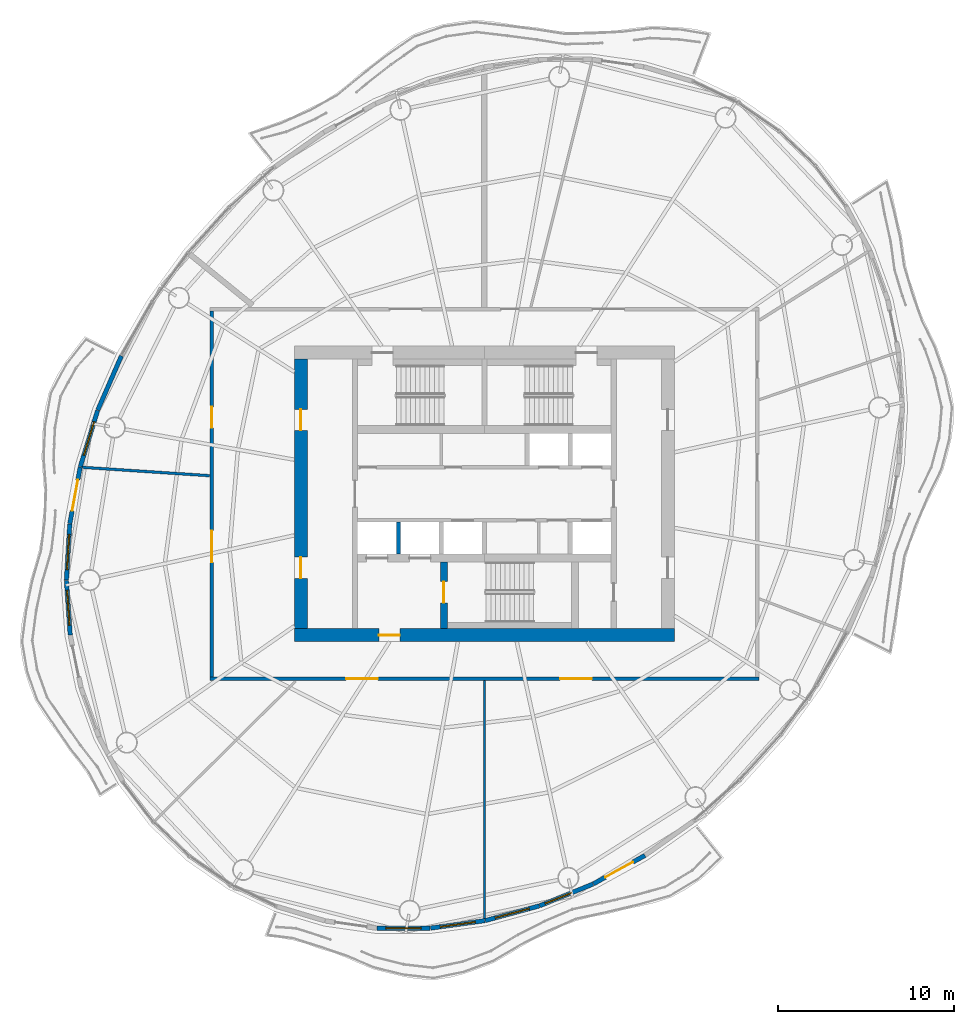
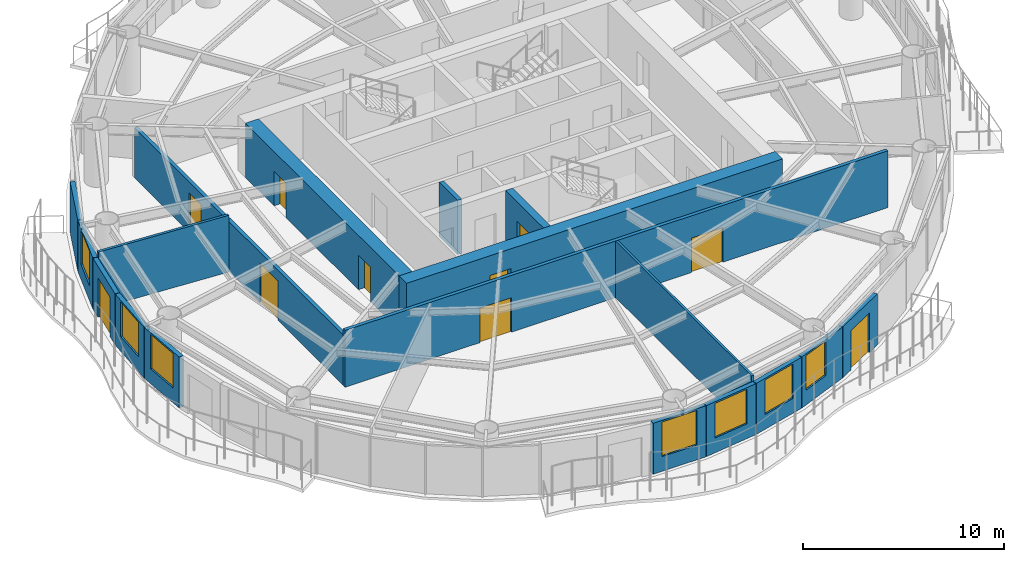
# One storey, part 8 of 14: 18 walls, 10 doors, 7 windows, 17 openings.
"""IFC4 building model written with IfcOpenShell, lengths in metres."""

from ifc_helpers import new_model, si_unit, direction, frame, frame_2d, origin, place, context, subcontext, project, spatial, rectangle, extrude, material, layer, layer_set, type_object, element, fill, save


model = new_model("IFC4")

# Units and contexts
model_context = context("Model", 3, precision=1e-05, world=origin(), true_north=direction((0.0, 1.0)))
body_context = subcontext(model_context, "Body", "Model", "MODEL_VIEW")
ifc_project = project(units=[si_unit("LENGTHUNIT", "METRE"), si_unit("AREAUNIT", "SQUARE_METRE"), si_unit("VOLUMEUNIT", "CUBIC_METRE"), si_unit("PLANEANGLEUNIT", "RADIAN"), si_unit("MASSUNIT", "GRAM", prefix="KILO")], contexts=[model_context])

# Site, building, storey
site_placement = place(None, origin())
site = spatial("IfcSite", under=ifc_project, at=site_placement, CompositionType="ELEMENT")
building_placement = place(site_placement, origin())
building = spatial("IfcBuilding", under=site, at=building_placement, Name="Vermilion Reach Broadcast Tower", CompositionType="ELEMENT")
storey_placement = place(building_placement, frame((0.0, 0.0, 235.300048828125)))
storey = spatial("IfcBuildingStorey", under=building, at=storey_placement, Name="L58", CompositionType="ELEMENT", Elevation=235.300048828125)

# Wall, opening, door
ifc_material_1 = material(Name="Concrete C60", Category="concrete")
ifc_layer_1 = layer(ifc_material_1, 0.39990234375)
ifc_layer_set_1 = layer_set([ifc_layer_1], Name="Core inner wall 400 mm Concrete C60")
wall_type_1 = type_object("IfcWallType", Name="Core inner wall 400 mm Concrete C60", PredefinedType="SHEAR", material=ifc_layer_set_1)
wall_1_placement = place(storey_placement, frame((-8.300048828125, -3.8798828125, 0.0), z_axis=(0.0, 0.0, 1.0), x_axis=(0.0, -1.0, 0.0)))
wall_1 = element("IfcWall", 1, at=wall_1_placement, inside=storey, type_object=wall_type_1, Name="L58 core wall wa", PredefinedType="SHEAR", context=body_context, shape_type="SweptSolid", body=[
    extrude(rectangle(XDim=3.77001953125, YDim=0.39990234375, at=frame_2d((1.885009765625, 0.0))), origin(), (0.0, 0.0, 1.0), 3.300048828125),
])
opening_1_placement = place(wall_1_placement, frame((1.110107421875, 0.0, 0.0)))
opening_1 = element("IfcOpeningElement", 2, at=opening_1_placement, cuts=wall_1, Name="Opening D01", PredefinedType="OPENING", context=body_context, shape_type="SweptSolid", body=[
    extrude(rectangle(XDim=1.199951171875, YDim=2.10009765625, at=frame_2d((0.60009765625, 1.050048828125))), frame((0.0, 0.2099609375, 0.0), z_axis=(0.0, -1.0, 0.0), x_axis=(1.0, 0.0, 0.0)), (0.0, 0.0, 1.0), 0.419921875),
])
ifc_material_2 = material(Name="Painted steel fire door", Category="steel")
door_type_1 = type_object("IfcDoorType", Name="Stair door 1200 x 2100", OperationType="DOUBLE_DOOR_SINGLE_SWING", PredefinedType="NOTDEFINED", material=ifc_material_2)
door_1_placement = place(opening_1_placement, origin())
door_1 = element("IfcDoor", 3, at=door_1_placement, inside=storey, type_object=door_type_1, Name="L58 stair door ST3", OperationType="DOUBLE_DOOR_SINGLE_SWING", OverallHeight=2.10009765625, OverallWidth=1.199951171875, PredefinedType="NOTDEFINED", context=body_context, shape_type="SweptSolid", body=[
    extrude(rectangle(XDim=1.199951171875, YDim=2.10009765625, at=frame_2d((0.60009765625, 1.050048828125))), frame((0.0, 0.02490234375, 0.0), z_axis=(0.0, -1.0, 0.0), x_axis=(1.0, 0.0, 0.0)), (0.0, 0.0, 1.0), 0.050048828125),
])
fill(opening_1, door_1)

ifc_material_3 = material(Name="Concrete C60", Category="concrete")
ifc_layer_2 = layer(ifc_material_3, 0.75)
ifc_layer_set_2 = layer_set([ifc_layer_2], Name="Core outer wall 750 mm Concrete C60")
wall_type_2 = type_object("IfcWallType", Name="Core outer wall 750 mm Concrete C60", PredefinedType="SHEAR", material=ifc_layer_set_2)
wall_2_placement = place(storey_placement, frame((-16.800048828125, -8.02490234375, 0.0), z_axis=(0.0, 0.0, 1.0), x_axis=(1.0, 0.0, 0.0)))
wall_2 = element("IfcWall", 4, at=wall_2_placement, inside=storey, type_object=wall_type_2, Name="L58 core wall os", PredefinedType="SHEAR", context=body_context, shape_type="SweptSolid", body=[
    extrude(rectangle(XDim=21.60009765625, YDim=0.75, at=frame_2d((10.800048828125, 0.0))), origin(), (0.0, 0.0, 1.0), 3.300048828125),
])
opening_2_placement = place(wall_2_placement, frame((4.800048828125, 0.0, 0.0)))
opening_2 = element("IfcOpeningElement", 5, at=opening_2_placement, cuts=wall_2, Name="Opening D02", PredefinedType="OPENING", context=body_context, shape_type="SweptSolid", body=[
    extrude(rectangle(XDim=1.199951171875, YDim=2.10009765625, at=frame_2d((0.60009765625, 1.050048828125))), frame((0.0, 0.385009765625, 0.0), z_axis=(0.0, -1.0, 0.0), x_axis=(1.0, 0.0, 0.0)), (0.0, 0.0, 1.0), 0.77001953125),
])
ifc_material_4 = material(Name="Painted steel fire door", Category="steel")
door_type_2 = type_object("IfcDoorType", Name="Firefighting lobby door 1200 x 2100", OperationType="DOUBLE_DOOR_SINGLE_SWING", PredefinedType="NOTDEFINED", material=ifc_material_4)
door_2_placement = place(opening_2_placement, origin())
door_2 = element("IfcDoor", 6, at=door_2_placement, inside=storey, type_object=door_type_2, Name="L58 ffdoor door FFL", OperationType="DOUBLE_DOOR_SINGLE_SWING", OverallHeight=2.10009765625, OverallWidth=1.199951171875, PredefinedType="NOTDEFINED", context=body_context, shape_type="SweptSolid", body=[
    extrude(rectangle(XDim=1.199951171875, YDim=2.10009765625, at=frame_2d((0.60009765625, 1.050048828125))), frame((0.0, 0.02490234375, 0.0), z_axis=(0.0, -1.0, 0.0), x_axis=(1.0, 0.0, 0.0)), (0.0, 0.0, 1.0), 0.050048828125),
])
fill(opening_2, door_2)

# Wall, openings, doors
wall_3_placement = place(storey_placement, frame((-16.425048828125, 7.64990234375, 0.0), z_axis=(0.0, 0.0, 1.0), x_axis=(0.0, -1.0, 0.0)))
wall_3 = element("IfcWall", 7, at=wall_3_placement, inside=storey, type_object=wall_type_2, Name="L58 core wall ow", PredefinedType="SHEAR", context=body_context, shape_type="SweptSolid", body=[
    extrude(rectangle(XDim=15.2998046875, YDim=0.75, at=frame_2d((7.64990234375, 0.0))), origin(), (0.0, 0.0, 1.0), 3.300048828125),
])
opening_3_placement = place(wall_3_placement, frame((11.25, 0.0, 0.0)))
opening_3 = element("IfcOpeningElement", 8, at=opening_3_placement, cuts=wall_3, Name="Opening D03", PredefinedType="OPENING", context=body_context, shape_type="SweptSolid", body=[
    extrude(rectangle(XDim=1.199951171875, YDim=2.10009765625, at=frame_2d((0.60009765625, 1.050048828125))), frame((0.0, 0.385009765625, 0.0), z_axis=(0.0, -1.0, 0.0), x_axis=(1.0, 0.0, 0.0)), (0.0, 0.0, 1.0), 0.77001953125),
])
opening_4_placement = place(wall_3_placement, frame((2.85009765625, 0.0, 0.0)))
opening_4 = element("IfcOpeningElement", 9, at=opening_4_placement, cuts=wall_3, Name="Opening D03", PredefinedType="OPENING", context=body_context, shape_type="SweptSolid", body=[
    extrude(rectangle(XDim=1.199951171875, YDim=2.10009765625, at=frame_2d((0.60009765625, 1.050048828125))), frame((0.0, 0.385009765625, 0.0), z_axis=(0.0, -1.0, 0.0), x_axis=(1.0, 0.0, 0.0)), (0.0, 0.0, 1.0), 0.77001953125),
])
ifc_material_5 = material(Name="Painted steel fire door", Category="steel")
door_type_3 = type_object("IfcDoorType", Name="Core lobby door 1200 x 2100", OperationType="DOUBLE_DOOR_SINGLE_SWING", PredefinedType="NOTDEFINED", material=ifc_material_5)
door_3_placement = place(opening_3_placement, origin())
door_3 = element("IfcDoor", 10, at=door_3_placement, inside=storey, type_object=door_type_3, Name="L58 slot door W0", OperationType="DOUBLE_DOOR_SINGLE_SWING", OverallHeight=2.10009765625, OverallWidth=1.199951171875, PredefinedType="NOTDEFINED", context=body_context, shape_type="SweptSolid", body=[
    extrude(rectangle(XDim=1.199951171875, YDim=2.10009765625, at=frame_2d((0.60009765625, 1.050048828125))), frame((0.0, 0.02490234375, 0.0), z_axis=(0.0, -1.0, 0.0), x_axis=(1.0, 0.0, 0.0)), (0.0, 0.0, 1.0), 0.050048828125),
])
fill(opening_3, door_3)
door_4_placement = place(opening_4_placement, origin())
door_4 = element("IfcDoor", 11, at=door_4_placement, inside=storey, type_object=door_type_3, Name="L58 slot door W1", OperationType="DOUBLE_DOOR_SINGLE_SWING", OverallHeight=2.10009765625, OverallWidth=1.199951171875, PredefinedType="NOTDEFINED", context=body_context, shape_type="SweptSolid", body=[
    extrude(rectangle(XDim=1.199951171875, YDim=2.10009765625, at=frame_2d((0.60009765625, 1.050048828125))), frame((0.0, 0.02490234375, 0.0), z_axis=(0.0, -1.0, 0.0), x_axis=(1.0, 0.0, 0.0)), (0.0, 0.0, 1.0), 0.050048828125),
])
fill(opening_4, door_4)

# Wall
ifc_material_6 = material(Name="Concrete C50", Category="concrete")
ifc_layer_3 = layer(ifc_material_6, 0.25)
ifc_layer_set_3 = layer_set([ifc_layer_3], Name="Core shaft wall 250 mm Concrete C50")
wall_type_3 = type_object("IfcWallType", Name="Core shaft wall 250 mm Concrete C50", PredefinedType="SHEAR", material=ifc_layer_set_3)
wall_4_placement = place(storey_placement, frame((-10.88330078125, -1.60009765625, 0.0), z_axis=(0.0, 0.0, 1.0), x_axis=(0.0, -1.0, 0.0)))
element("IfcWall", 12, at=wall_4_placement, inside=storey, type_object=wall_type_3, Name="L58 core wall psS0", PredefinedType="SHEAR", context=body_context, shape_type="SweptSolid", body=[
    extrude(rectangle(XDim=1.829833984375, YDim=0.25, at=frame_2d((0.9150390625, 0.0))), origin(), (0.0, 0.0, 1.0), 3.300048828125),
])

# Wall, openings, doors
ifc_material_7 = material(Name="Fire-rated gypsum board partition")
ifc_layer_4 = layer(ifc_material_7, 0.199951171875)
ifc_layer_set_4 = layer_set([ifc_layer_4], Name="Corridor wall 200 fire-rated")
wall_type_4 = type_object("IfcWallType", Name="Corridor wall 200 fire-rated", PredefinedType="PARTITIONING", material=ifc_layer_set_4)
wall_5_placement = place(storey_placement, frame((9.60009765625, -10.5, 0.0), z_axis=(0.0, 0.0, 1.0), x_axis=(-1.0, 0.0, 0.0)))
wall_5 = element("IfcWall", 13, at=wall_5_placement, inside=storey, type_object=wall_type_4, Name="Corridor wall 58.S", PredefinedType="PARTITIONING", context=body_context, shape_type="SweptSolid", body=[
    extrude(rectangle(XDim=31.2001953125, YDim=0.199951171875, at=frame_2d((15.60009765625, 0.0))), origin(), (0.0, 0.0, 1.0), 3.449951171875),
])
opening_5_placement = place(wall_5_placement, frame((21.65380859375, 0.0, 0.0)))
opening_5 = element("IfcOpeningElement", 14, at=opening_5_placement, cuts=wall_5, Name="Opening D21", PredefinedType="OPENING", context=body_context, shape_type="SweptSolid", body=[
    extrude(rectangle(XDim=1.800048828125, YDim=2.10009765625, at=frame_2d((0.89990234375, 1.050048828125))), frame((0.0, 0.10986328125, 0.0), z_axis=(0.0, -1.0, 0.0), x_axis=(1.0, 0.0, 0.0)), (0.0, 0.0, 1.0), 0.219970703125),
])
opening_6_placement = place(wall_5_placement, frame((9.4931640625, 0.0, 0.0)))
opening_6 = element("IfcOpeningElement", 15, at=opening_6_placement, cuts=wall_5, Name="Opening D21", PredefinedType="OPENING", context=body_context, shape_type="SweptSolid", body=[
    extrude(rectangle(XDim=1.800048828125, YDim=2.10009765625, at=frame_2d((0.89990234375, 1.050048828125))), frame((0.0, 0.10986328125, 0.0), z_axis=(0.0, -1.0, 0.0), x_axis=(1.0, 0.0, 0.0)), (0.0, 0.0, 1.0), 0.219970703125),
])
ifc_material_8 = material(Name="Timber door leaf", Category="wood")
door_type_4 = type_object("IfcDoorType", Name="Door pair 1800x2100", OperationType="NOTDEFINED", PredefinedType="DOOR", material=ifc_material_8)
door_5_placement = place(opening_5_placement, origin())
door_5 = element("IfcDoor", 16, at=door_5_placement, inside=storey, type_object=door_type_4, Name="Door 58.05", OperationType="DOUBLE_DOOR_SINGLE_SWING", OverallHeight=2.10009765625, OverallWidth=1.800048828125, PredefinedType="DOOR", context=body_context, shape_type="SweptSolid", body=[
    extrude(rectangle(XDim=1.800048828125, YDim=2.10009765625, at=frame_2d((0.89990234375, 1.050048828125))), frame((0.0, 0.02490234375, 0.0), z_axis=(0.0, -1.0, 0.0), x_axis=(1.0, 0.0, 0.0)), (0.0, 0.0, 1.0), 0.050048828125),
])
fill(opening_5, door_5)
door_6_placement = place(opening_6_placement, origin())
door_6 = element("IfcDoor", 17, at=door_6_placement, inside=storey, type_object=door_type_4, Name="Door 58.06", OperationType="DOUBLE_DOOR_SINGLE_SWING", OverallHeight=2.10009765625, OverallWidth=1.800048828125, PredefinedType="DOOR", context=body_context, shape_type="SweptSolid", body=[
    extrude(rectangle(XDim=1.800048828125, YDim=2.10009765625, at=frame_2d((0.89990234375, 1.050048828125))), frame((0.0, 0.02490234375, 0.0), z_axis=(0.0, -1.0, 0.0), x_axis=(1.0, 0.0, 0.0)), (0.0, 0.0, 1.0), 0.050048828125),
])
fill(opening_6, door_6)

# Walls
ifc_material_9 = material(Name="Fire-rated plasterboard on steel stud", Category="steel")
ifc_layer_5 = layer(ifc_material_9, 0.125)
ifc_layer_set_5 = layer_set([ifc_layer_5], Name="Partition 125 fire-rated stud")
wall_type_5 = type_object("IfcWallType", Name="Partition 125 fire-rated stud", PredefinedType="PARTITIONING", material=ifc_layer_set_5)
wall_6_placement = place(storey_placement, frame((-5.993896484375, -24.12890625, 0.0), z_axis=(0.0, 0.0, 1.0), x_axis=(-0.000252643728, 0.999999968086, 0.0)))
element("IfcWall", 18, at=wall_6_placement, inside=storey, type_object=wall_type_5, Name="Partition 58.06", PredefinedType="PARTITIONING", context=body_context, shape_type="SweptSolid", body=[
    extrude(rectangle(XDim=13.52880859375, YDim=0.125, at=frame_2d((6.764404296875, 0.0))), origin(), (0.0, 0.0, 1.0), 3.449951171875),
])
ifc_material_10 = material(Name="Lightweight concrete block, plastered", Category="concrete")
ifc_layer_6 = layer(ifc_material_10, 0.14990234375)
ifc_layer_set_6 = layer_set([ifc_layer_6], Name="Partition 150 lightweight block")
wall_type_6 = type_object("IfcWallType", Name="Partition 150 lightweight block", PredefinedType="PARTITIONING", material=ifc_layer_set_6)
wall_7_placement = place(storey_placement, frame((-28.840087890625, 1.50537109375, 0.0), z_axis=(0.0, 0.0, 1.0), x_axis=(0.997835523801, -0.065759162409, 0.0)))
element("IfcWall", 19, at=wall_7_placement, inside=storey, type_object=wall_type_6, Name="Partition 58.04", PredefinedType="PARTITIONING", context=body_context, shape_type="SweptSolid", body=[
    extrude(rectangle(XDim=7.250732421875, YDim=0.14990234375, at=frame_2d((3.62548828125, 0.0))), origin(), (0.0, 0.0, 1.0), 3.449951171875),
])
ifc_material_11 = material(Name="Terracotta rainscreen cladding", Category="masonry")
ifc_layer_7 = layer(ifc_material_11, 0.25)
ifc_layer_set_7 = layer_set([ifc_layer_7], Name="Terracotta rainscreen wall 250")
wall_type_7 = type_object("IfcWallType", Name="Terracotta rainscreen wall 250", PredefinedType="SOLIDWALL", material=ifc_layer_set_7)
wall_8_placement = place(storey_placement, frame((-26.62646484375, 7.83203125, 0.0), z_axis=(0.0, 0.0, 1.0), x_axis=(-0.399940006996, -0.916541319747, 0.0)))
element("IfcWall", 20, at=wall_8_placement, inside=storey, type_object=wall_type_7, Name="External wall L58 14", PredefinedType="SOLIDWALL", context=body_context, shape_type="SweptSolid", body=[
    extrude(rectangle(XDim=3.3525390625, YDim=0.25, at=frame_2d((1.67626953125, 0.0))), origin(), (0.0, 0.0, 1.0), 3.099853515625),
])

# Wall, opening, window
wall_9_placement = place(storey_placement, frame((-27.97509765625, 4.73876953125, 0.0), z_axis=(0.0, 0.0, 1.0), x_axis=(-0.294306671234, -0.955711035443, 0.0)))
wall_9 = element("IfcWall", 21, at=wall_9_placement, inside=storey, type_object=wall_type_7, Name="External wall L58 15", PredefinedType="SOLIDWALL", context=body_context, shape_type="SweptSolid", body=[
    extrude(rectangle(XDim=3.340576171875, YDim=0.25, at=frame_2d((1.67041015625, 0.0))), origin(), (0.0, 0.0, 1.0), 3.099853515625),
])
opening_7_placement = place(wall_9_placement, frame((0.67041015625, 0.0, 0.89990234375)))
opening_7 = element("IfcOpeningElement", 22, at=opening_7_placement, cuts=wall_9, Name="Opening W03", PredefinedType="OPENING", context=body_context, shape_type="SweptSolid", body=[
    extrude(rectangle(XDim=2.0, YDim=2.10009765625, at=frame_2d((1.0, 1.050048828125))), frame((0.0, 0.135009765625, 0.0), z_axis=(0.0, -1.0, 0.0), x_axis=(1.0, 0.0, 0.0)), (0.0, 0.0, 1.0), 0.27001953125),
])
ifc_material_12 = material(Name="Low-e laminated clear glass in aluminium frame", Category="aluminium")
window_type_1 = type_object("IfcWindowType", Name="Punched window 2000 x 2100 sill 900", PartitioningType="SINGLE_PANEL", PredefinedType="WINDOW", material=ifc_material_12)
window_1_placement = place(opening_7_placement, origin())
window_1 = element("IfcWindow", 23, at=window_1_placement, inside=storey, type_object=window_type_1, Name="Window L58 15", OverallHeight=2.10009765625, OverallWidth=2.0, PartitioningType="SINGLE_PANEL", PredefinedType="WINDOW", context=body_context, shape_type="SweptSolid", body=[
    extrude(rectangle(XDim=2.0, YDim=2.10009765625, at=frame_2d((1.0, 1.050048828125))), frame((0.0, 0.030029296875, 0.0), z_axis=(0.0, -1.0, 0.0), x_axis=(1.0, 0.0, 0.0)), (0.0, 0.0, 1.0), 0.06005859375),
])
fill(opening_7, window_1)

# Wall, opening, door
wall_10_placement = place(storey_placement, frame((-28.963623046875, 1.524169921875, 0.0), z_axis=(0.0, 0.0, 1.0), x_axis=(-0.180803315383, -0.983519273399, 0.0)))
wall_10 = element("IfcWall", 24, at=wall_10_placement, inside=storey, type_object=wall_type_7, Name="External wall L58 16", PredefinedType="SOLIDWALL", context=body_context, shape_type="SweptSolid", body=[
    extrude(rectangle(XDim=3.2705078125, YDim=0.25, at=frame_2d((1.63525390625, 0.0))), origin(), (0.0, 0.0, 1.0), 3.099853515625),
])
opening_8_placement = place(wall_10_placement, frame((0.735107421875, 0.0, 0.0)))
opening_8 = element("IfcOpeningElement", 25, at=opening_8_placement, cuts=wall_10, Name="Opening D70", PredefinedType="OPENING", context=body_context, shape_type="SweptSolid", body=[
    extrude(rectangle(XDim=1.800048828125, YDim=2.39990234375, at=frame_2d((0.89990234375, 1.199951171875))), frame((0.0, 0.135009765625, 0.0), z_axis=(0.0, -1.0, 0.0), x_axis=(1.0, 0.0, 0.0)), (0.0, 0.0, 1.0), 0.27001953125),
])
ifc_material_13 = material(Name="Low-e laminated clear glass in aluminium frame", Category="aluminium")
door_type_5 = type_object("IfcDoorType", Name="Balcony sliding door 1800 x 2400", OperationType="DOUBLE_DOOR_SLIDING", PredefinedType="DOOR", material=ifc_material_13)
door_7_placement = place(opening_8_placement, origin())
door_7 = element("IfcDoor", 26, at=door_7_placement, inside=storey, type_object=door_type_5, Name="Balcony door L58 run 04", OperationType="DOUBLE_DOOR_SLIDING", OverallHeight=2.39990234375, OverallWidth=1.800048828125, PredefinedType="DOOR", context=body_context, shape_type="SweptSolid", body=[
    extrude(rectangle(XDim=1.800048828125, YDim=2.39990234375, at=frame_2d((0.89990234375, 1.199951171875))), frame((0.0, 0.02490234375, 0.0), z_axis=(0.0, -1.0, 0.0), x_axis=(1.0, 0.0, 0.0)), (0.0, 0.0, 1.0), 0.050048828125),
])
fill(opening_8, door_7)

# Wall, opening, window
wall_11_placement = place(storey_placement, frame((-29.557861328125, -1.715576171875, 0.0), z_axis=(0.0, 0.0, 1.0), x_axis=(-0.059610174745, -0.998221732416, 0.0)))
wall_11 = element("IfcWall", 27, at=wall_11_placement, inside=storey, type_object=wall_type_7, Name="External wall L58 17", PredefinedType="SOLIDWALL", context=body_context, shape_type="SweptSolid", body=[
    extrude(rectangle(XDim=3.1904296875, YDim=0.25, at=frame_2d((1.59521484375, 0.0))), origin(), (0.0, 0.0, 1.0), 3.099853515625),
])
opening_9_placement = place(wall_11_placement, frame((0.59521484375, 0.0, 0.89990234375)))
opening_9 = element("IfcOpeningElement", 28, at=opening_9_placement, cuts=wall_11, Name="Opening W03", PredefinedType="OPENING", context=body_context, shape_type="SweptSolid", body=[
    extrude(rectangle(XDim=2.0, YDim=2.10009765625, at=frame_2d((1.0, 1.050048828125))), frame((0.0, 0.135009765625, 0.0), z_axis=(0.0, -1.0, 0.0), x_axis=(1.0, 0.0, 0.0)), (0.0, 0.0, 1.0), 0.27001953125),
])
window_2_placement = place(opening_9_placement, origin())
window_2 = element("IfcWindow", 29, at=window_2_placement, inside=storey, type_object=window_type_1, Name="Window L58 17", OverallHeight=2.10009765625, OverallWidth=2.0, PartitioningType="SINGLE_PANEL", PredefinedType="WINDOW", context=body_context, shape_type="SweptSolid", body=[
    extrude(rectangle(XDim=2.0, YDim=2.10009765625, at=frame_2d((1.0, 1.050048828125))), frame((0.0, 0.030029296875, 0.0), z_axis=(0.0, -1.0, 0.0), x_axis=(1.0, 0.0, 0.0)), (0.0, 0.0, 1.0), 0.06005859375),
])
fill(opening_9, window_2)

wall_12_placement = place(storey_placement, frame((-29.747802734375, -4.92431640625, 0.0), z_axis=(0.0, 0.0, 1.0), x_axis=(0.068637495047, -0.997641666268, 0.0)))
wall_12 = element("IfcWall", 30, at=wall_12_placement, inside=storey, type_object=wall_type_7, Name="External wall L58 18", PredefinedType="SOLIDWALL", context=body_context, shape_type="SweptSolid", body=[
    extrude(rectangle(XDim=3.105224609375, YDim=0.25, at=frame_2d((1.552734375, 0.0))), origin(), (0.0, 0.0, 1.0), 3.099853515625),
])
opening_10_placement = place(wall_12_placement, frame((0.552734375, 0.0, 0.89990234375)))
opening_10 = element("IfcOpeningElement", 31, at=opening_10_placement, cuts=wall_12, Name="Opening W03", PredefinedType="OPENING", context=body_context, shape_type="SweptSolid", body=[
    extrude(rectangle(XDim=2.0, YDim=2.10009765625, at=frame_2d((1.0, 1.050048828125))), frame((0.0, 0.135009765625, 0.0), z_axis=(0.0, -1.0, 0.0), x_axis=(1.0, 0.0, 0.0)), (0.0, 0.0, 1.0), 0.27001953125),
])
window_3_placement = place(opening_10_placement, origin())
window_3 = element("IfcWindow", 32, at=window_3_placement, inside=storey, type_object=window_type_1, Name="Window L58 18", OverallHeight=2.10009765625, OverallWidth=2.0, PartitioningType="SINGLE_PANEL", PredefinedType="WINDOW", context=body_context, shape_type="SweptSolid", body=[
    extrude(rectangle(XDim=2.0, YDim=2.10009765625, at=frame_2d((1.0, 1.050048828125))), frame((0.0, 0.030029296875, 0.0), z_axis=(0.0, -1.0, 0.0), x_axis=(1.0, 0.0, 0.0)), (0.0, 0.0, 1.0), 0.06005859375),
])
fill(opening_10, window_3)

wall_13_placement = place(storey_placement, frame((-12.1025390625, -24.681396484375, 0.0), z_axis=(0.0, 0.0, 1.0), x_axis=(0.999999163763, 0.001293241725, 0.0)))
wall_13 = element("IfcWall", 33, at=wall_13_placement, inside=storey, type_object=wall_type_7, Name="External wall L58 28", PredefinedType="SOLIDWALL", context=body_context, shape_type="SweptSolid", body=[
    extrude(rectangle(XDim=3.0205078125, YDim=0.25, at=frame_2d((1.51025390625, 0.0))), origin(), (0.0, 0.0, 1.0), 3.099853515625),
])
opening_11_placement = place(wall_13_placement, frame((0.51025390625, 0.0, 0.89990234375)))
opening_11 = element("IfcOpeningElement", 34, at=opening_11_placement, cuts=wall_13, Name="Opening W03", PredefinedType="OPENING", context=body_context, shape_type="SweptSolid", body=[
    extrude(rectangle(XDim=2.0, YDim=2.10009765625, at=frame_2d((1.0, 1.050048828125))), frame((0.0, 0.135009765625, 0.0), z_axis=(0.0, -1.0, 0.0), x_axis=(1.0, 0.0, 0.0)), (0.0, 0.0, 1.0), 0.27001953125),
])
window_4_placement = place(opening_11_placement, origin())
window_4 = element("IfcWindow", 35, at=window_4_placement, inside=storey, type_object=window_type_1, Name="Window L58 28", OverallHeight=2.10009765625, OverallWidth=2.0, PartitioningType="SINGLE_PANEL", PredefinedType="WINDOW", context=body_context, shape_type="SweptSolid", body=[
    extrude(rectangle(XDim=2.0, YDim=2.10009765625, at=frame_2d((1.0, 1.050048828125))), frame((0.0, 0.030029296875, 0.0), z_axis=(0.0, -1.0, 0.0), x_axis=(1.0, 0.0, 0.0)), (0.0, 0.0, 1.0), 0.06005859375),
])
fill(opening_11, window_4)

wall_14_placement = place(storey_placement, frame((-9.05712890625, -24.67578125, 0.0), z_axis=(0.0, 0.0, 1.0), x_axis=(0.990694748904, 0.136102588123, 0.0)))
wall_14 = element("IfcWall", 36, at=wall_14_placement, inside=storey, type_object=wall_type_7, Name="External wall L58 29", PredefinedType="SOLIDWALL", context=body_context, shape_type="SweptSolid", body=[
    extrude(rectangle(XDim=3.10498046875, YDim=0.25, at=frame_2d((1.552490234375, 0.0))), origin(), (0.0, 0.0, 1.0), 3.099853515625),
])
opening_12_placement = place(wall_14_placement, frame((0.552734375, 0.0, 0.89990234375)))
opening_12 = element("IfcOpeningElement", 37, at=opening_12_placement, cuts=wall_14, Name="Opening W03", PredefinedType="OPENING", context=body_context, shape_type="SweptSolid", body=[
    extrude(rectangle(XDim=2.0, YDim=2.10009765625, at=frame_2d((1.0, 1.050048828125))), frame((0.0, 0.135009765625, 0.0), z_axis=(0.0, -1.0, 0.0), x_axis=(1.0, 0.0, 0.0)), (0.0, 0.0, 1.0), 0.27001953125),
])
window_5_placement = place(opening_12_placement, origin())
window_5 = element("IfcWindow", 38, at=window_5_placement, inside=storey, type_object=window_type_1, Name="Window L58 29", OverallHeight=2.10009765625, OverallWidth=2.0, PartitioningType="SINGLE_PANEL", PredefinedType="WINDOW", context=body_context, shape_type="SweptSolid", body=[
    extrude(rectangle(XDim=2.0, YDim=2.10009765625, at=frame_2d((1.0, 1.050048828125))), frame((0.0, 0.030029296875, 0.0), z_axis=(0.0, -1.0, 0.0), x_axis=(1.0, 0.0, 0.0)), (0.0, 0.0, 1.0), 0.06005859375),
])
fill(opening_12, window_5)

wall_15_placement = place(storey_placement, frame((-5.957275390625, -24.248291015625, 0.0), z_axis=(0.0, 0.0, 1.0), x_axis=(0.965105590166, 0.261861031522, 0.0)))
wall_15 = element("IfcWall", 39, at=wall_15_placement, inside=storey, type_object=wall_type_7, Name="External wall L58 30", PredefinedType="SOLIDWALL", context=body_context, shape_type="SweptSolid", body=[
    extrude(rectangle(XDim=3.1904296875, YDim=0.25, at=frame_2d((1.59521484375, 0.0))), origin(), (0.0, 0.0, 1.0), 3.099853515625),
])
opening_13_placement = place(wall_15_placement, frame((0.59521484375, 0.0, 0.89990234375)))
opening_13 = element("IfcOpeningElement", 40, at=opening_13_placement, cuts=wall_15, Name="Opening W03", PredefinedType="OPENING", context=body_context, shape_type="SweptSolid", body=[
    extrude(rectangle(XDim=2.0, YDim=2.10009765625, at=frame_2d((1.0, 1.050048828125))), frame((0.0, 0.135009765625, 0.0), z_axis=(0.0, -1.0, 0.0), x_axis=(1.0, 0.0, 0.0)), (0.0, 0.0, 1.0), 0.27001953125),
])
window_6_placement = place(opening_13_placement, origin())
window_6 = element("IfcWindow", 41, at=window_6_placement, inside=storey, type_object=window_type_1, Name="Window L58 30", OverallHeight=2.10009765625, OverallWidth=2.0, PartitioningType="SINGLE_PANEL", PredefinedType="WINDOW", context=body_context, shape_type="SweptSolid", body=[
    extrude(rectangle(XDim=2.0, YDim=2.10009765625, at=frame_2d((1.0, 1.050048828125))), frame((0.0, 0.030029296875, 0.0), z_axis=(0.0, -1.0, 0.0), x_axis=(1.0, 0.0, 0.0)), (0.0, 0.0, 1.0), 0.06005859375),
])
fill(opening_13, window_6)

wall_16_placement = place(storey_placement, frame((-2.856201171875, -23.405517578125, 0.0), z_axis=(0.0, 0.0, 1.0), x_axis=(0.926011191342, 0.377496057607, 0.0)))
wall_16 = element("IfcWall", 42, at=wall_16_placement, inside=storey, type_object=wall_type_7, Name="External wall L58 31", PredefinedType="SOLIDWALL", context=body_context, shape_type="SweptSolid", body=[
    extrude(rectangle(XDim=3.2705078125, YDim=0.25, at=frame_2d((1.63525390625, 0.0))), origin(), (0.0, 0.0, 1.0), 3.099853515625),
])
opening_14_placement = place(wall_16_placement, frame((0.3349609375, 0.0, 0.89990234375)))
opening_14 = element("IfcOpeningElement", 43, at=opening_14_placement, cuts=wall_16, Name="Opening W04", PredefinedType="OPENING", context=body_context, shape_type="SweptSolid", body=[
    extrude(rectangle(XDim=1.60009765625, YDim=2.10009765625, at=frame_2d((0.800048828125, 1.050048828125))), frame((0.0, 0.135009765625, 0.0), z_axis=(0.0, -1.0, 0.0), x_axis=(1.0, 0.0, 0.0)), (0.0, 0.0, 1.0), 0.27001953125),
])
ifc_material_14 = material(Name="Low-e laminated clear glass in aluminium frame", Category="aluminium")
window_type_2 = type_object("IfcWindowType", Name="Punched window 1600 x 2100 sill 900", PartitioningType="SINGLE_PANEL", PredefinedType="WINDOW", material=ifc_material_14)
window_7_placement = place(opening_14_placement, origin())
window_7 = element("IfcWindow", 44, at=window_7_placement, inside=storey, type_object=window_type_2, Name="Window L58 31", OverallHeight=2.10009765625, OverallWidth=1.60009765625, PartitioningType="SINGLE_PANEL", PredefinedType="WINDOW", context=body_context, shape_type="SweptSolid", body=[
    extrude(rectangle(XDim=1.60009765625, YDim=2.10009765625, at=frame_2d((0.800048828125, 1.050048828125))), frame((0.0, 0.030029296875, 0.0), z_axis=(0.0, -1.0, 0.0), x_axis=(1.0, 0.0, 0.0)), (0.0, 0.0, 1.0), 0.06005859375),
])
fill(opening_14, window_7)

# Wall, opening, door
wall_17_placement = place(storey_placement, frame((0.19287109375, -22.1611328125, 0.0), z_axis=(0.0, 0.0, 1.0), x_axis=(0.875645897976, 0.482953684486, 0.0)))
wall_17 = element("IfcWall", 45, at=wall_17_placement, inside=storey, type_object=wall_type_7, Name="External wall L58 32", PredefinedType="SOLIDWALL", context=body_context, shape_type="SweptSolid", body=[
    extrude(rectangle(XDim=3.34033203125, YDim=0.25, at=frame_2d((1.670166015625, 0.0))), origin(), (0.0, 0.0, 1.0), 3.099853515625),
])
opening_15_placement = place(wall_17_placement, frame((0.77001953125, 0.0, 0.0)))
opening_15 = element("IfcOpeningElement", 46, at=opening_15_placement, cuts=wall_17, Name="Opening D70", PredefinedType="OPENING", context=body_context, shape_type="SweptSolid", body=[
    extrude(rectangle(XDim=1.800048828125, YDim=2.39990234375, at=frame_2d((0.89990234375, 1.199951171875))), frame((0.0, 0.135009765625, 0.0), z_axis=(0.0, -1.0, 0.0), x_axis=(1.0, 0.0, 0.0)), (0.0, 0.0, 1.0), 0.27001953125),
])
door_8_placement = place(opening_15_placement, origin())
door_8 = element("IfcDoor", 47, at=door_8_placement, inside=storey, type_object=door_type_5, Name="Balcony door L58 run 08", OperationType="DOUBLE_DOOR_SLIDING", OverallHeight=2.39990234375, OverallWidth=1.800048828125, PredefinedType="DOOR", context=body_context, shape_type="SweptSolid", body=[
    extrude(rectangle(XDim=1.800048828125, YDim=2.39990234375, at=frame_2d((0.89990234375, 1.199951171875))), frame((0.0, 0.02490234375, 0.0), z_axis=(0.0, -1.0, 0.0), x_axis=(1.0, 0.0, 0.0)), (0.0, 0.0, 1.0), 0.050048828125),
])
fill(opening_15, door_8)

# Wall, openings, doors
ifc_material_15 = material(Name="Fire-rated gypsum board partition")
ifc_layer_8 = layer(ifc_material_15, 0.199951171875)
ifc_layer_set_8 = layer_set([ifc_layer_8], Name="Under girder: Corridor wall 200 fire-rated")
wall_type_8 = type_object("IfcWallType", Name="Under girder: Corridor wall 200 fire-rated", PredefinedType="PARTITIONING", material=ifc_layer_set_8)
wall_18_placement = place(storey_placement, frame((-21.5, -10.39990234375, 0.0), z_axis=(0.0, 0.0, 1.0), x_axis=(0.0, 1.0, 0.0)))
wall_18 = element("IfcWall", 48, at=wall_18_placement, inside=storey, type_object=wall_type_8, Name="Corridor wall 58.W", PredefinedType="PARTITIONING", context=body_context, shape_type="SweptSolid", body=[
    extrude(rectangle(XDim=20.7998046875, YDim=0.199951171875, at=frame_2d((10.39990234375, 0.0))), origin(), (0.0, 0.0, 1.0), 3.050048828125),
])
opening_16_placement = place(wall_18_placement, frame((14.1396484375, 0.0, 0.0)))
opening_16 = element("IfcOpeningElement", 49, at=opening_16_placement, cuts=wall_18, Name="Opening D29", PredefinedType="OPENING", context=body_context, shape_type="SweptSolid", body=[
    extrude(rectangle(XDim=1.199951171875, YDim=2.39990234375, at=frame_2d((0.60009765625, 1.199951171875))), frame((0.0, 0.10986328125, 0.0), z_axis=(0.0, -1.0, 0.0), x_axis=(1.0, 0.0, 0.0)), (0.0, 0.0, 1.0), 0.219970703125),
])
opening_17_placement = place(wall_18_placement, frame((6.509765625, 0.0, 0.0)))
opening_17 = element("IfcOpeningElement", 50, at=opening_17_placement, cuts=wall_18, Name="Opening D27", PredefinedType="OPENING", context=body_context, shape_type="SweptSolid", body=[
    extrude(rectangle(XDim=1.800048828125, YDim=2.39990234375, at=frame_2d((0.89990234375, 1.199951171875))), frame((0.0, 0.10986328125, 0.0), z_axis=(0.0, -1.0, 0.0), x_axis=(1.0, 0.0, 0.0)), (0.0, 0.0, 1.0), 0.219970703125),
])
ifc_material_16 = material(Name="Acoustic timber door leaf", Category="wood")
door_type_6 = type_object("IfcDoorType", Name="Door pair 1800x2400", OperationType="NOTDEFINED", PredefinedType="DOOR", material=ifc_material_16)
door_9_placement = place(opening_17_placement, origin())
door_9 = element("IfcDoor", 51, at=door_9_placement, inside=storey, type_object=door_type_6, Name="Door 58.04", OperationType="DOUBLE_DOOR_SINGLE_SWING", OverallHeight=2.39990234375, OverallWidth=1.800048828125, PredefinedType="DOOR", context=body_context, shape_type="SweptSolid", body=[
    extrude(rectangle(XDim=1.800048828125, YDim=2.39990234375, at=frame_2d((0.89990234375, 1.199951171875))), frame((0.0, 0.02490234375, 0.0), z_axis=(0.0, -1.0, 0.0), x_axis=(1.0, 0.0, 0.0)), (0.0, 0.0, 1.0), 0.050048828125),
])
fill(opening_17, door_9)
ifc_material_17 = material(Name="Veneered timber door leaf", Category="wood")
door_type_7 = type_object("IfcDoorType", Name="Door single 1200x2400", OperationType="NOTDEFINED", PredefinedType="DOOR", material=ifc_material_17)
door_10_placement = place(opening_16_placement, origin())
door_10 = element("IfcDoor", 52, at=door_10_placement, inside=storey, type_object=door_type_7, Name="Door 58.03", OperationType="SINGLE_SWING_LEFT", OverallHeight=2.39990234375, OverallWidth=1.199951171875, PredefinedType="DOOR", context=body_context, shape_type="SweptSolid", body=[
    extrude(rectangle(XDim=1.199951171875, YDim=2.39990234375, at=frame_2d((0.60009765625, 1.199951171875))), frame((0.0, 0.02490234375, 0.0), z_axis=(0.0, -1.0, 0.0), x_axis=(1.0, 0.0, 0.0)), (0.0, 0.0, 1.0), 0.050048828125),
])
fill(opening_16, door_10)

save(model, "model.ifc")
